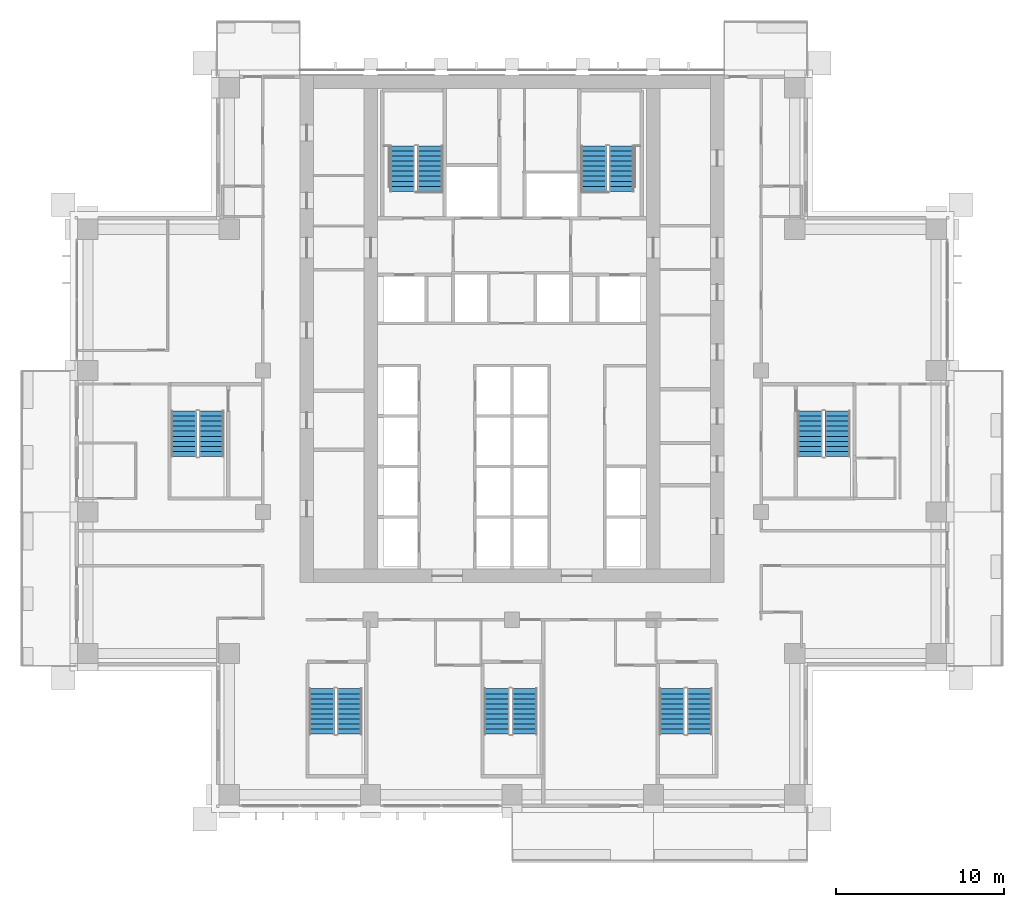
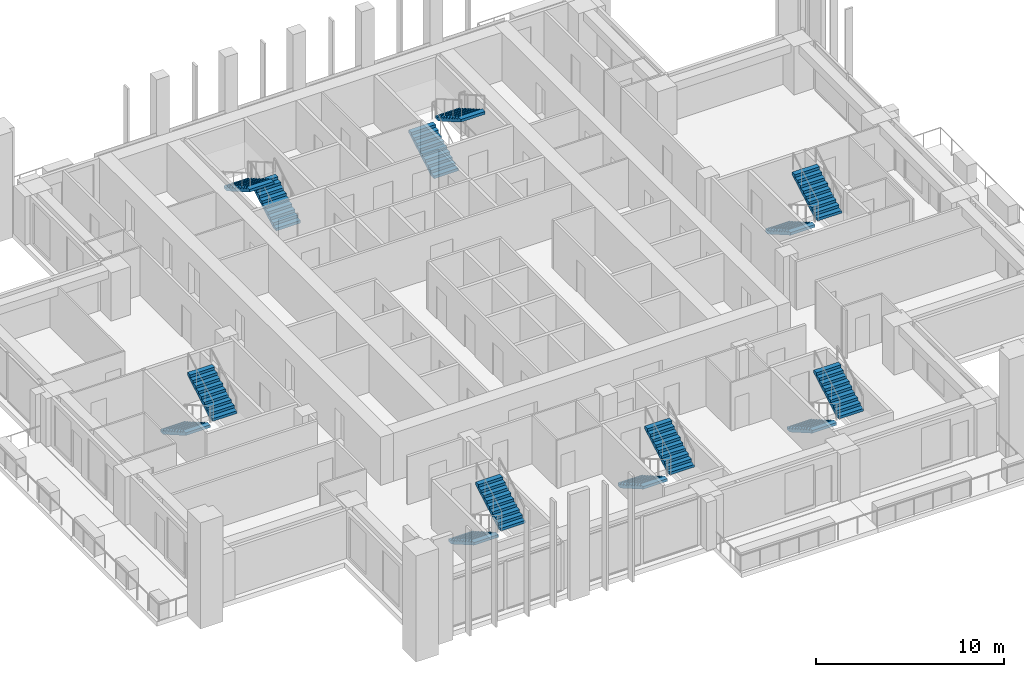
# One storey, part 14 of 19: 14 stair flights, 7 elements without a shape of their own.
"""IFC4 building model written with IfcOpenShell, lengths in metres."""

from ifc_helpers import new_model, si_unit, direction, frame, origin, place, context, subcontext, project, spatial, polyline, outline, extrude, material, type_object, element, aggregate, save


model = new_model("IFC4")

# Units and contexts
model_context = context("Model", 3, precision=1e-05, world=origin(), true_north=direction((0.0, 1.0)))
body_context = subcontext(model_context, "Body", "Model", "MODEL_VIEW")
ifc_project = project(units=[si_unit("LENGTHUNIT", "METRE"), si_unit("AREAUNIT", "SQUARE_METRE"), si_unit("VOLUMEUNIT", "CUBIC_METRE"), si_unit("PLANEANGLEUNIT", "RADIAN"), si_unit("MASSUNIT", "GRAM", prefix="KILO")], contexts=[model_context])

# Site, building, storey
site_placement = place(None, origin())
site = spatial("IfcSite", under=ifc_project, at=site_placement, CompositionType="ELEMENT")
building_placement = place(site_placement, origin())
building = spatial("IfcBuilding", under=site, at=building_placement, Name="Vermilion Ogive Tower", CompositionType="ELEMENT")
storey_placement = place(building_placement, frame((0.0, 0.0, 104.550048828125)))
storey = spatial("IfcBuildingStorey", under=building, at=storey_placement, Name="L26", CompositionType="ELEMENT", Elevation=104.550048828125)

# Stair, stair flights
ifc_material_1 = material(Name="Concrete B40", Category="concrete")
stair_type = type_object("IfcStairType", Name="Exit stair 1500", PredefinedType="HALF_TURN_STAIR", material=ifc_material_1)
stair_1_placement = place(storey_placement, origin())
stair_1 = element("IfcStair", 1, at=stair_1_placement, inside=storey, type_object=stair_type, Name="L26 Exit Stair ST1", PredefinedType="HALF_TURN_STAIR")
ifc_material_2 = material(Name="Concrete B40", Category="concrete")
stair_flight_type = type_object("IfcStairFlightType", Name="Stair flight 1500", PredefinedType="STRAIGHT", material=ifc_material_2)
stair_flight_1_placement = place(storey_placement, frame((-4.85009765625, 14.85009765625, 0.0), z_axis=(0.0, 0.0, 1.0), x_axis=(0.0, 1.0, 0.0)))
stair_flight_1 = element("IfcStairFlight", 2, at=stair_flight_1_placement, type_object=stair_flight_type, Name="ST1 flight 1", NumberOfRisers=10, NumberOfTreads=9, PredefinedType="STRAIGHT", RiserHeight=0.1725, TreadLength=0.3, context=body_context, shape_type="SweptSolid", body=[
    extrude(outline(polyline([(0.0, 0.0), (0.0, 0.172607421875), (0.300048828125, 0.172607421875), (0.300048828125, 0.344970703125), (0.60009765625, 0.344970703125), (0.60009765625, 0.517578125), (0.89990234375, 0.517578125), (0.89990234375, 0.68994140625), (1.199951171875, 0.68994140625), (1.199951171875, 0.862548828125), (1.5, 0.862548828125), (1.5, 1.034912109375), (1.800048828125, 1.034912109375), (1.800048828125, 1.20751953125), (2.10009765625, 1.20751953125), (2.10009765625, 1.3798828125), (2.39990234375, 1.3798828125), (2.39990234375, 1.552490234375), (2.699951171875, 1.552490234375), (2.699951171875, 1.72509765625), (2.699951171875, 1.379638671875), (0.30078125, 0.0), (0.0, 0.0)])), frame((0.0, 0.75, 0.0), z_axis=(0.0, -1.0, 0.0), x_axis=(1.0, 0.0, 0.0)), (0.0, 0.0, 1.0), 1.5),
])
stair_flight_2_placement = place(storey_placement, frame((-6.5, 17.550048828125, 1.724853515625), z_axis=(0.0, 0.0, 1.0), x_axis=(0.0, -1.0, 0.0)))
stair_flight_2 = element("IfcStairFlight", 3, at=stair_flight_2_placement, type_object=stair_flight_type, Name="ST1 flight 2", NumberOfRisers=10, NumberOfTreads=9, PredefinedType="STRAIGHT", RiserHeight=0.1725, TreadLength=0.3, context=body_context, shape_type="SweptSolid", body=[
    extrude(outline(polyline([(0.0, 0.0), (0.0, 0.172607421875), (0.300048828125, 0.172607421875), (0.300048828125, 0.344970703125), (0.60009765625, 0.344970703125), (0.60009765625, 0.517578125), (0.89990234375, 0.517578125), (0.89990234375, 0.68994140625), (1.199951171875, 0.68994140625), (1.199951171875, 0.862548828125), (1.5, 0.862548828125), (1.5, 1.034912109375), (1.800048828125, 1.034912109375), (1.800048828125, 1.20751953125), (2.10009765625, 1.20751953125), (2.10009765625, 1.3798828125), (2.39990234375, 1.3798828125), (2.39990234375, 1.552490234375), (2.699951171875, 1.552490234375), (2.699951171875, 1.72509765625), (2.699951171875, 1.379638671875), (0.30078125, 0.0), (0.0, 0.0)])), frame((0.0, 0.75, 0.0), z_axis=(0.0, -1.0, 0.0), x_axis=(1.0, 0.0, 0.0)), (0.0, 0.0, 1.0), 1.5),
])
aggregate(stair_1, [stair_flight_1, stair_flight_2])

stair_2_placement = place(storey_placement, origin())
stair_2 = element("IfcStair", 4, at=stair_2_placement, inside=storey, type_object=stair_type, Name="L26 Exit Stair ST2", PredefinedType="HALF_TURN_STAIR")
stair_flight_3_placement = place(storey_placement, frame((4.85009765625, 14.85009765625, 0.0), z_axis=(0.0, 0.0, 1.0), x_axis=(0.0, 1.0, 0.0)))
stair_flight_3 = element("IfcStairFlight", 5, at=stair_flight_3_placement, type_object=stair_flight_type, Name="ST2 flight 1", NumberOfRisers=10, NumberOfTreads=9, PredefinedType="STRAIGHT", RiserHeight=0.1725, TreadLength=0.3, context=body_context, shape_type="SweptSolid", body=[
    extrude(outline(polyline([(0.0, 0.0), (0.0, 0.172607421875), (0.300048828125, 0.172607421875), (0.300048828125, 0.344970703125), (0.60009765625, 0.344970703125), (0.60009765625, 0.517578125), (0.89990234375, 0.517578125), (0.89990234375, 0.68994140625), (1.199951171875, 0.68994140625), (1.199951171875, 0.862548828125), (1.5, 0.862548828125), (1.5, 1.034912109375), (1.800048828125, 1.034912109375), (1.800048828125, 1.20751953125), (2.10009765625, 1.20751953125), (2.10009765625, 1.3798828125), (2.39990234375, 1.3798828125), (2.39990234375, 1.552490234375), (2.699951171875, 1.552490234375), (2.699951171875, 1.72509765625), (2.699951171875, 1.379638671875), (0.30078125, 0.0), (0.0, 0.0)])), frame((0.0, 0.75, 0.0), z_axis=(0.0, -1.0, 0.0), x_axis=(1.0, 0.0, 0.0)), (0.0, 0.0, 1.0), 1.5),
])
stair_flight_4_placement = place(storey_placement, frame((6.5, 17.550048828125, 1.724853515625), z_axis=(0.0, 0.0, 1.0), x_axis=(0.0, -1.0, 0.0)))
stair_flight_4 = element("IfcStairFlight", 6, at=stair_flight_4_placement, type_object=stair_flight_type, Name="ST2 flight 2", NumberOfRisers=10, NumberOfTreads=9, PredefinedType="STRAIGHT", RiserHeight=0.1725, TreadLength=0.3, context=body_context, shape_type="SweptSolid", body=[
    extrude(outline(polyline([(0.0, 0.0), (0.0, 0.172607421875), (0.300048828125, 0.172607421875), (0.300048828125, 0.344970703125), (0.60009765625, 0.344970703125), (0.60009765625, 0.517578125), (0.89990234375, 0.517578125), (0.89990234375, 0.68994140625), (1.199951171875, 0.68994140625), (1.199951171875, 0.862548828125), (1.5, 0.862548828125), (1.5, 1.034912109375), (1.800048828125, 1.034912109375), (1.800048828125, 1.20751953125), (2.10009765625, 1.20751953125), (2.10009765625, 1.3798828125), (2.39990234375, 1.3798828125), (2.39990234375, 1.552490234375), (2.699951171875, 1.552490234375), (2.699951171875, 1.72509765625), (2.699951171875, 1.379638671875), (0.30078125, 0.0), (0.0, 0.0)])), frame((0.0, 0.75, 0.0), z_axis=(0.0, -1.0, 0.0), x_axis=(1.0, 0.0, 0.0)), (0.0, 0.0, 1.0), 1.5),
])
aggregate(stair_2, [stair_flight_3, stair_flight_4])

stair_3_placement = place(storey_placement, origin())
stair_3 = element("IfcStair", 7, at=stair_3_placement, inside=storey, type_object=stair_type, Name="L26 Exit Stair ST3", PredefinedType="HALF_TURN_STAIR")
stair_flight_5_placement = place(storey_placement, frame((-11.300048828125, -14.699951171875, 0.0), z_axis=(0.0, 0.0, 1.0), x_axis=(0.0, -1.0, 0.0)))
stair_flight_5 = element("IfcStairFlight", 8, at=stair_flight_5_placement, type_object=stair_flight_type, Name="ST3 flight 1", NumberOfRisers=10, NumberOfTreads=9, PredefinedType="STRAIGHT", RiserHeight=0.1725, TreadLength=0.3, context=body_context, shape_type="SweptSolid", body=[
    extrude(outline(polyline([(0.0, 0.0), (0.0, 0.172607421875), (0.300048828125, 0.172607421875), (0.300048828125, 0.344970703125), (0.60009765625, 0.344970703125), (0.60009765625, 0.517578125), (0.89990234375, 0.517578125), (0.89990234375, 0.68994140625), (1.199951171875, 0.68994140625), (1.199951171875, 0.862548828125), (1.5, 0.862548828125), (1.5, 1.034912109375), (1.800048828125, 1.034912109375), (1.800048828125, 1.20751953125), (2.10009765625, 1.20751953125), (2.10009765625, 1.3798828125), (2.39990234375, 1.3798828125), (2.39990234375, 1.552490234375), (2.699951171875, 1.552490234375), (2.699951171875, 1.72509765625), (2.699951171875, 1.379638671875), (0.30078125, 0.0), (0.0, 0.0)])), frame((0.0, 0.75, 0.0), z_axis=(0.0, -1.0, 0.0), x_axis=(1.0, 0.0, 0.0)), (0.0, 0.0, 1.0), 1.5),
])
stair_flight_6_placement = place(storey_placement, frame((-9.64990234375, -17.39990234375, 1.724853515625), z_axis=(0.0, 0.0, 1.0), x_axis=(0.0, 1.0, 0.0)))
stair_flight_6 = element("IfcStairFlight", 9, at=stair_flight_6_placement, type_object=stair_flight_type, Name="ST3 flight 2", NumberOfRisers=10, NumberOfTreads=9, PredefinedType="STRAIGHT", RiserHeight=0.1725, TreadLength=0.3, context=body_context, shape_type="SweptSolid", body=[
    extrude(outline(polyline([(0.0, 0.0), (0.0, 0.172607421875), (0.300048828125, 0.172607421875), (0.300048828125, 0.344970703125), (0.60009765625, 0.344970703125), (0.60009765625, 0.517578125), (0.89990234375, 0.517578125), (0.89990234375, 0.68994140625), (1.199951171875, 0.68994140625), (1.199951171875, 0.862548828125), (1.5, 0.862548828125), (1.5, 1.034912109375), (1.800048828125, 1.034912109375), (1.800048828125, 1.20751953125), (2.10009765625, 1.20751953125), (2.10009765625, 1.3798828125), (2.39990234375, 1.3798828125), (2.39990234375, 1.552490234375), (2.699951171875, 1.552490234375), (2.699951171875, 1.72509765625), (2.699951171875, 1.379638671875), (0.30078125, 0.0), (0.0, 0.0)])), frame((0.0, 0.75, 0.0), z_axis=(0.0, -1.0, 0.0), x_axis=(1.0, 0.0, 0.0)), (0.0, 0.0, 1.0), 1.5),
])
aggregate(stair_3, [stair_flight_5, stair_flight_6])

stair_4_placement = place(storey_placement, origin())
stair_4 = element("IfcStair", 10, at=stair_4_placement, inside=storey, type_object=stair_type, Name="L26 Exit Stair ST4", PredefinedType="HALF_TURN_STAIR")
stair_flight_7_placement = place(storey_placement, frame((-0.89990234375, -14.699951171875, 0.0), z_axis=(0.0, 0.0, 1.0), x_axis=(0.0, -1.0, 0.0)))
stair_flight_7 = element("IfcStairFlight", 11, at=stair_flight_7_placement, type_object=stair_flight_type, Name="ST4 flight 1", NumberOfRisers=10, NumberOfTreads=9, PredefinedType="STRAIGHT", RiserHeight=0.1725, TreadLength=0.3, context=body_context, shape_type="SweptSolid", body=[
    extrude(outline(polyline([(0.0, 0.0), (0.0, 0.172607421875), (0.300048828125, 0.172607421875), (0.300048828125, 0.344970703125), (0.60009765625, 0.344970703125), (0.60009765625, 0.517578125), (0.89990234375, 0.517578125), (0.89990234375, 0.68994140625), (1.199951171875, 0.68994140625), (1.199951171875, 0.862548828125), (1.5, 0.862548828125), (1.5, 1.034912109375), (1.800048828125, 1.034912109375), (1.800048828125, 1.20751953125), (2.10009765625, 1.20751953125), (2.10009765625, 1.3798828125), (2.39990234375, 1.3798828125), (2.39990234375, 1.552490234375), (2.699951171875, 1.552490234375), (2.699951171875, 1.72509765625), (2.699951171875, 1.379638671875), (0.30078125, 0.0), (0.0, 0.0)])), frame((0.0, 0.75, 0.0), z_axis=(0.0, -1.0, 0.0), x_axis=(1.0, 0.0, 0.0)), (0.0, 0.0, 1.0), 1.5),
])
stair_flight_8_placement = place(storey_placement, frame((0.75, -17.39990234375, 1.724853515625), z_axis=(0.0, 0.0, 1.0), x_axis=(0.0, 1.0, 0.0)))
stair_flight_8 = element("IfcStairFlight", 12, at=stair_flight_8_placement, type_object=stair_flight_type, Name="ST4 flight 2", NumberOfRisers=10, NumberOfTreads=9, PredefinedType="STRAIGHT", RiserHeight=0.1725, TreadLength=0.3, context=body_context, shape_type="SweptSolid", body=[
    extrude(outline(polyline([(0.0, 0.0), (0.0, 0.172607421875), (0.300048828125, 0.172607421875), (0.300048828125, 0.344970703125), (0.60009765625, 0.344970703125), (0.60009765625, 0.517578125), (0.89990234375, 0.517578125), (0.89990234375, 0.68994140625), (1.199951171875, 0.68994140625), (1.199951171875, 0.862548828125), (1.5, 0.862548828125), (1.5, 1.034912109375), (1.800048828125, 1.034912109375), (1.800048828125, 1.20751953125), (2.10009765625, 1.20751953125), (2.10009765625, 1.3798828125), (2.39990234375, 1.3798828125), (2.39990234375, 1.552490234375), (2.699951171875, 1.552490234375), (2.699951171875, 1.72509765625), (2.699951171875, 1.379638671875), (0.30078125, 0.0), (0.0, 0.0)])), frame((0.0, 0.75, 0.0), z_axis=(0.0, -1.0, 0.0), x_axis=(1.0, 0.0, 0.0)), (0.0, 0.0, 1.0), 1.5),
])
aggregate(stair_4, [stair_flight_7, stair_flight_8])

stair_5_placement = place(storey_placement, origin())
stair_5 = element("IfcStair", 13, at=stair_5_placement, inside=storey, type_object=stair_type, Name="L26 Exit Stair ST5", PredefinedType="HALF_TURN_STAIR")
stair_flight_9_placement = place(storey_placement, frame((9.5, -14.699951171875, 0.0), z_axis=(0.0, 0.0, 1.0), x_axis=(0.0, -1.0, 0.0)))
stair_flight_9 = element("IfcStairFlight", 14, at=stair_flight_9_placement, type_object=stair_flight_type, Name="ST5 flight 1", NumberOfRisers=10, NumberOfTreads=9, PredefinedType="STRAIGHT", RiserHeight=0.1725, TreadLength=0.3, context=body_context, shape_type="SweptSolid", body=[
    extrude(outline(polyline([(0.0, 0.0), (0.0, 0.172607421875), (0.300048828125, 0.172607421875), (0.300048828125, 0.344970703125), (0.60009765625, 0.344970703125), (0.60009765625, 0.517578125), (0.89990234375, 0.517578125), (0.89990234375, 0.68994140625), (1.199951171875, 0.68994140625), (1.199951171875, 0.862548828125), (1.5, 0.862548828125), (1.5, 1.034912109375), (1.800048828125, 1.034912109375), (1.800048828125, 1.20751953125), (2.10009765625, 1.20751953125), (2.10009765625, 1.3798828125), (2.39990234375, 1.3798828125), (2.39990234375, 1.552490234375), (2.699951171875, 1.552490234375), (2.699951171875, 1.72509765625), (2.699951171875, 1.379638671875), (0.30078125, 0.0), (0.0, 0.0)])), frame((0.0, 0.75, 0.0), z_axis=(0.0, -1.0, 0.0), x_axis=(1.0, 0.0, 0.0)), (0.0, 0.0, 1.0), 1.5),
])
stair_flight_10_placement = place(storey_placement, frame((11.14990234375, -17.39990234375, 1.724853515625), z_axis=(0.0, 0.0, 1.0), x_axis=(0.0, 1.0, 0.0)))
stair_flight_10 = element("IfcStairFlight", 15, at=stair_flight_10_placement, type_object=stair_flight_type, Name="ST5 flight 2", NumberOfRisers=10, NumberOfTreads=9, PredefinedType="STRAIGHT", RiserHeight=0.1725, TreadLength=0.3, context=body_context, shape_type="SweptSolid", body=[
    extrude(outline(polyline([(0.0, 0.0), (0.0, 0.172607421875), (0.300048828125, 0.172607421875), (0.300048828125, 0.344970703125), (0.60009765625, 0.344970703125), (0.60009765625, 0.517578125), (0.89990234375, 0.517578125), (0.89990234375, 0.68994140625), (1.199951171875, 0.68994140625), (1.199951171875, 0.862548828125), (1.5, 0.862548828125), (1.5, 1.034912109375), (1.800048828125, 1.034912109375), (1.800048828125, 1.20751953125), (2.10009765625, 1.20751953125), (2.10009765625, 1.3798828125), (2.39990234375, 1.3798828125), (2.39990234375, 1.552490234375), (2.699951171875, 1.552490234375), (2.699951171875, 1.72509765625), (2.699951171875, 1.379638671875), (0.30078125, 0.0), (0.0, 0.0)])), frame((0.0, 0.75, 0.0), z_axis=(0.0, -1.0, 0.0), x_axis=(1.0, 0.0, 0.0)), (0.0, 0.0, 1.0), 1.5),
])
aggregate(stair_5, [stair_flight_9, stair_flight_10])

stair_6_placement = place(storey_placement, origin())
stair_6 = element("IfcStair", 16, at=stair_6_placement, inside=storey, type_object=stair_type, Name="L26 Exit Stair ST8", PredefinedType="HALF_TURN_STAIR")
stair_flight_11_placement = place(storey_placement, frame((17.699951171875, 1.800048828125, 0.0), z_axis=(0.0, 0.0, 1.0), x_axis=(0.0, -1.0, 0.0)))
stair_flight_11 = element("IfcStairFlight", 17, at=stair_flight_11_placement, type_object=stair_flight_type, Name="ST8 flight 1", NumberOfRisers=10, NumberOfTreads=9, PredefinedType="STRAIGHT", RiserHeight=0.1725, TreadLength=0.3, context=body_context, shape_type="SweptSolid", body=[
    extrude(outline(polyline([(0.0, 0.0), (0.0, 0.172607421875), (0.300048828125, 0.172607421875), (0.300048828125, 0.344970703125), (0.60009765625, 0.344970703125), (0.60009765625, 0.517578125), (0.89990234375, 0.517578125), (0.89990234375, 0.68994140625), (1.199951171875, 0.68994140625), (1.199951171875, 0.862548828125), (1.5, 0.862548828125), (1.5, 1.034912109375), (1.800048828125, 1.034912109375), (1.800048828125, 1.20751953125), (2.10009765625, 1.20751953125), (2.10009765625, 1.3798828125), (2.39990234375, 1.3798828125), (2.39990234375, 1.552490234375), (2.699951171875, 1.552490234375), (2.699951171875, 1.72509765625), (2.699951171875, 1.379638671875), (0.30078125, 0.0), (0.0, 0.0)])), frame((0.0, 0.75, 0.0), z_axis=(0.0, -1.0, 0.0), x_axis=(1.0, 0.0, 0.0)), (0.0, 0.0, 1.0), 1.5),
])
stair_flight_12_placement = place(storey_placement, frame((19.35009765625, -0.89990234375, 1.724853515625), z_axis=(0.0, 0.0, 1.0), x_axis=(0.0, 1.0, 0.0)))
stair_flight_12 = element("IfcStairFlight", 18, at=stair_flight_12_placement, type_object=stair_flight_type, Name="ST8 flight 2", NumberOfRisers=10, NumberOfTreads=9, PredefinedType="STRAIGHT", RiserHeight=0.1725, TreadLength=0.3, context=body_context, shape_type="SweptSolid", body=[
    extrude(outline(polyline([(0.0, 0.0), (0.0, 0.172607421875), (0.300048828125, 0.172607421875), (0.300048828125, 0.344970703125), (0.60009765625, 0.344970703125), (0.60009765625, 0.517578125), (0.89990234375, 0.517578125), (0.89990234375, 0.68994140625), (1.199951171875, 0.68994140625), (1.199951171875, 0.862548828125), (1.5, 0.862548828125), (1.5, 1.034912109375), (1.800048828125, 1.034912109375), (1.800048828125, 1.20751953125), (2.10009765625, 1.20751953125), (2.10009765625, 1.3798828125), (2.39990234375, 1.3798828125), (2.39990234375, 1.552490234375), (2.699951171875, 1.552490234375), (2.699951171875, 1.72509765625), (2.699951171875, 1.379638671875), (0.30078125, 0.0), (0.0, 0.0)])), frame((0.0, 0.75, 0.0), z_axis=(0.0, -1.0, 0.0), x_axis=(1.0, 0.0, 0.0)), (0.0, 0.0, 1.0), 1.5),
])
aggregate(stair_6, [stair_flight_11, stair_flight_12])

stair_7_placement = place(storey_placement, origin())
stair_7 = element("IfcStair", 19, at=stair_7_placement, inside=storey, type_object=stair_type, Name="L26 Exit Stair ST9", PredefinedType="HALF_TURN_STAIR")
stair_flight_13_placement = place(storey_placement, frame((-19.5, 1.800048828125, 0.0), z_axis=(0.0, 0.0, 1.0), x_axis=(0.0, -1.0, 0.0)))
stair_flight_13 = element("IfcStairFlight", 20, at=stair_flight_13_placement, type_object=stair_flight_type, Name="ST9 flight 1", NumberOfRisers=10, NumberOfTreads=9, PredefinedType="STRAIGHT", RiserHeight=0.1725, TreadLength=0.3, context=body_context, shape_type="SweptSolid", body=[
    extrude(outline(polyline([(0.0, 0.0), (0.0, 0.172607421875), (0.300048828125, 0.172607421875), (0.300048828125, 0.344970703125), (0.60009765625, 0.344970703125), (0.60009765625, 0.517578125), (0.89990234375, 0.517578125), (0.89990234375, 0.68994140625), (1.199951171875, 0.68994140625), (1.199951171875, 0.862548828125), (1.5, 0.862548828125), (1.5, 1.034912109375), (1.800048828125, 1.034912109375), (1.800048828125, 1.20751953125), (2.10009765625, 1.20751953125), (2.10009765625, 1.3798828125), (2.39990234375, 1.3798828125), (2.39990234375, 1.552490234375), (2.699951171875, 1.552490234375), (2.699951171875, 1.72509765625), (2.699951171875, 1.379638671875), (0.30078125, 0.0), (0.0, 0.0)])), frame((0.0, 0.75, 0.0), z_axis=(0.0, -1.0, 0.0), x_axis=(1.0, 0.0, 0.0)), (0.0, 0.0, 1.0), 1.5),
])
stair_flight_14_placement = place(storey_placement, frame((-17.85009765625, -0.89990234375, 1.724853515625), z_axis=(0.0, 0.0, 1.0), x_axis=(0.0, 1.0, 0.0)))
stair_flight_14 = element("IfcStairFlight", 21, at=stair_flight_14_placement, type_object=stair_flight_type, Name="ST9 flight 2", NumberOfRisers=10, NumberOfTreads=9, PredefinedType="STRAIGHT", RiserHeight=0.1725, TreadLength=0.3, context=body_context, shape_type="SweptSolid", body=[
    extrude(outline(polyline([(0.0, 0.0), (0.0, 0.172607421875), (0.300048828125, 0.172607421875), (0.300048828125, 0.344970703125), (0.60009765625, 0.344970703125), (0.60009765625, 0.517578125), (0.89990234375, 0.517578125), (0.89990234375, 0.68994140625), (1.199951171875, 0.68994140625), (1.199951171875, 0.862548828125), (1.5, 0.862548828125), (1.5, 1.034912109375), (1.800048828125, 1.034912109375), (1.800048828125, 1.20751953125), (2.10009765625, 1.20751953125), (2.10009765625, 1.3798828125), (2.39990234375, 1.3798828125), (2.39990234375, 1.552490234375), (2.699951171875, 1.552490234375), (2.699951171875, 1.72509765625), (2.699951171875, 1.379638671875), (0.30078125, 0.0), (0.0, 0.0)])), frame((0.0, 0.75, 0.0), z_axis=(0.0, -1.0, 0.0), x_axis=(1.0, 0.0, 0.0)), (0.0, 0.0, 1.0), 1.5),
])
aggregate(stair_7, [stair_flight_13, stair_flight_14])

save(model, "model.ifc")
